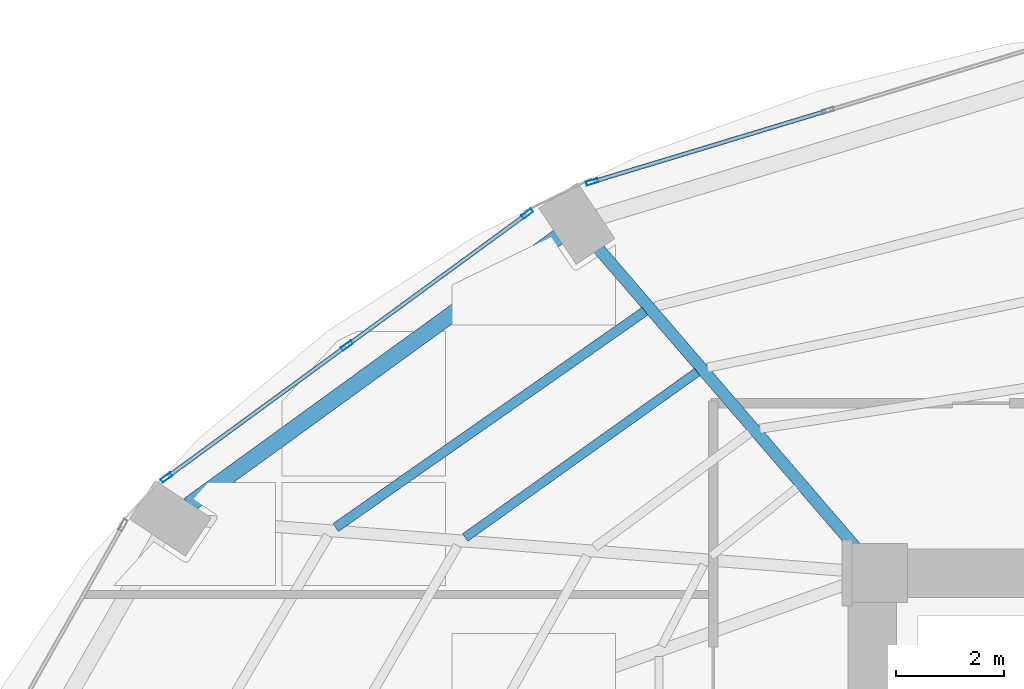
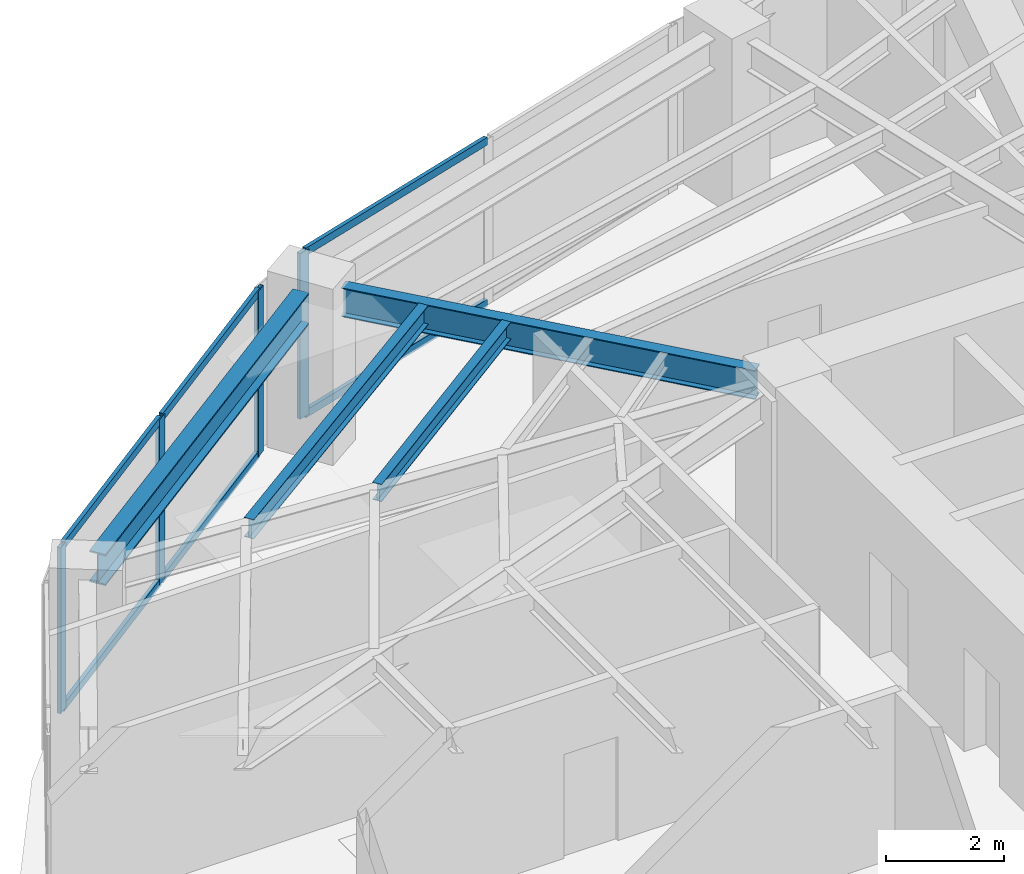
# One storey, part 13 of 24: 10 members, 4 beams, 2 elements without a shape of their own.
"""IFC4 building model written with IfcOpenShell, lengths in metres."""

from ifc_helpers import new_model, si_unit, direction, frame, origin, origin_2d, place, context, subcontext, project, spatial, hollow_rectangle, i_section, extrude, material, layer, layer_set, material_profile, profile_set, type_object, element, aggregate, save


model = new_model("IFC4")

# Units and contexts
model_context = context("Model", 3, precision=1e-05, world=origin(), true_north=direction((0.0, 1.0)))
body_context = subcontext(model_context, "Body", "Model", "MODEL_VIEW")
ifc_project = project(units=[si_unit("LENGTHUNIT", "METRE"), si_unit("AREAUNIT", "SQUARE_METRE"), si_unit("VOLUMEUNIT", "CUBIC_METRE"), si_unit("PLANEANGLEUNIT", "RADIAN"), si_unit("MASSUNIT", "GRAM", prefix="KILO")], contexts=[model_context])

# Site, building, storey
site_placement = place(None, origin())
site = spatial("IfcSite", under=ifc_project, at=site_placement, CompositionType="ELEMENT")
building_placement = place(site_placement, origin())
building = spatial("IfcBuilding", under=site, at=building_placement, Name="Lazwardi Medical Tower", CompositionType="ELEMENT")
storey_placement = place(building_placement, frame((0.0, 0.0, 36.14404296875)))
storey = spatial("IfcBuildingStorey", under=building, at=storey_placement, Name="L08", CompositionType="ELEMENT", Elevation=36.14404296875)

# Beams
ifc_material_1 = material(Name="Steel S355", Category="steel")
ifc_material_profile_1 = material_profile(ifc_material_1, i_section(OverallWidth=0.300048828125, OverallDepth=0.64990234375, WebThickness=0.01611328125, FlangeThickness=0.031005859375, at=origin_2d()), Name="HEB 650")
ifc_profile_set_1 = profile_set([ifc_material_profile_1], Name="Steel S355")
beam_type_1 = type_object("IfcBeamType", Name="BM-RB-Z1", PredefinedType="BEAM", material=ifc_profile_set_1)
beam_1_placement = place(storey_placement, frame((20.47900390625, 41.83740234375, 3.10302734375), z_axis=(-0.80939338516, -0.5872668457, 0.0), x_axis=(0.5872668457, -0.80939338516, 0.0)))
element("IfcBeam", 1, at=beam_1_placement, inside=storey, type_object=beam_type_1, Name="Ring beam RB-02 B10 L08", PredefinedType="BEAM", context=body_context, shape_type="SweptSolid", body=[
    extrude(i_section(OverallWidth=0.300048828125, OverallDepth=0.64990234375, WebThickness=0.01611328125, FlangeThickness=0.031005859375, at=origin_2d()), origin(), (0.0, 0.0, 1.0), 8.47412109375),
])
ifc_material_profile_2 = material_profile(ifc_material_1, i_section(OverallWidth=0.219970703125, OverallDepth=0.60009765625, WebThickness=0.011962890625, FlangeThickness=0.01904296875, at=origin_2d()), Name="IPE 600")
ifc_profile_set_2 = profile_set([ifc_material_profile_2], Name="Steel S355")
beam_type_2 = type_object("IfcBeamType", Name="BM-RG-W1", PredefinedType="BEAM", material=ifc_profile_set_2)
beam_2_placement = place(storey_placement, frame((21.197509765625, 41.644287109375, 3.1279296875), z_axis=(0.652368190463, -0.757902199543, 0.0), x_axis=(0.757902199543, 0.652368190463, 0.0)))
element("IfcBeam", 2, at=beam_2_placement, inside=storey, type_object=beam_type_2, Name="Radial girder RG-02 R10 L08", PredefinedType="BEAM", context=body_context, shape_type="SweptSolid", body=[
    extrude(i_section(OverallWidth=0.219970703125, OverallDepth=0.60009765625, WebThickness=0.011962890625, FlangeThickness=0.01904296875, at=origin_2d()), origin(), (0.0, 0.0, 1.0), 7.43994140625),
])
ifc_material_profile_3 = material_profile(ifc_material_1, i_section(OverallWidth=0.179931640625, OverallDepth=0.39990234375, WebThickness=0.008544921875, FlangeThickness=0.013427734375, at=origin_2d()), Name="IPE 400")
ifc_profile_set_3 = profile_set([ifc_material_profile_3], Name="Steel S355")
beam_type_3 = type_object("IfcBeamType", Name="BM-SJ-01", PredefinedType="JOIST", material=ifc_profile_set_3)
beam_3_placement = place(storey_placement, frame((22.08203125, 40.456298828125, 3.22802734375), z_axis=(-0.81942522483, -0.573186096231, 0.0), x_axis=(0.573186096231, -0.81942522483, 0.0)))
element("IfcBeam", 3, at=beam_3_placement, inside=storey, type_object=beam_type_3, Name="Secondary joist SJ-01 R1 B10 L08", PredefinedType="JOIST", context=body_context, shape_type="SweptSolid", body=[
    extrude(i_section(OverallWidth=0.179931640625, OverallDepth=0.39990234375, WebThickness=0.008544921875, FlangeThickness=0.013427734375, at=origin_2d()), origin(), (0.0, 0.0, 1.0), 6.999755859375),
])
ifc_material_profile_4 = material_profile(ifc_material_1, i_section(OverallWidth=0.169921875, OverallDepth=0.360107421875, WebThickness=0.008056640625, FlangeThickness=0.0126953125, at=origin_2d()), Name="IPE 360")
ifc_profile_set_4 = profile_set([ifc_material_profile_4], Name="Steel S355")
beam_type_4 = type_object("IfcBeamType", Name="BM-SJ-02", PredefinedType="JOIST", material=ifc_profile_set_4)
beam_4_placement = place(storey_placement, frame((23.05322265625, 39.327880859375, 3.248046875), z_axis=(-0.814341377136, -0.580386183058, 0.0), x_axis=(0.580386183058, -0.814341377136, 0.0)))
element("IfcBeam", 4, at=beam_4_placement, inside=storey, type_object=beam_type_4, Name="Secondary joist SJ-02 R2 B10 L08", PredefinedType="JOIST", context=body_context, shape_type="SweptSolid", body=[
    extrude(i_section(OverallWidth=0.169921875, OverallDepth=0.360107421875, WebThickness=0.008056640625, FlangeThickness=0.0126953125, at=origin_2d()), origin(), (0.0, 0.0, 1.0), 5.28759765625),
])

# Curtain wall, member
ifc_material_2 = material(Name="Anodised bronze aluminium and solar control glazing", Category="aluminium")
ifc_layer = layer(ifc_material_2, 0.199951171875)
ifc_layer_set = layer_set([ifc_layer], Name="Anodised bronze aluminium and solar control glazing")
curtain_wall_type = type_object("IfcCurtainWallType", Name="CW-SYS-02", PredefinedType="NOTDEFINED", material=ifc_layer_set)
curtain_wall_1_placement = place(storey_placement, origin())
curtain_wall_1 = element("IfcCurtainWall", 5, at=curtain_wall_1_placement, inside=storey, type_object=curtain_wall_type, Name="L08 Unitised bronze curtain wall CW-02", PredefinedType="NOTDEFINED")
ifc_material_3 = material(Name="Anodised bronze aluminium", Category="aluminium")
ifc_material_profile_5 = material_profile(ifc_material_3, hollow_rectangle(XDim=0.074951171875, YDim=0.219970703125, WallThickness=0.00390625, at=origin_2d()), Name="ALU-MULLION 220x75x4")
ifc_profile_set_5 = profile_set([ifc_material_profile_5], Name="Anodised bronze aluminium")
member_type_1 = type_object("IfcMemberType", Name="CW-MUL-01", PredefinedType="MULLION", material=ifc_profile_set_5)
member_1_placement = place(storey_placement, frame((21.1015625, 42.853271484375, 0.0), z_axis=(0.0, 0.0, 1.0), x_axis=(0.2898956909, -0.957058247129, 0.0)))
member_1 = element("IfcMember", 6, at=member_1_placement, type_object=member_type_1, Name="CW-02 mullion 3", PredefinedType="MULLION", context=body_context, shape_type="SweptSolid", body=[
    extrude(hollow_rectangle(XDim=0.074951171875, YDim=0.219970703125, WallThickness=0.00390625, at=origin_2d()), origin(), (0.0, 0.0, 1.0), 3.427978515625),
])

# Curtain wall, members
curtain_wall_2_placement = place(storey_placement, origin())
curtain_wall_2 = element("IfcCurtainWall", 7, at=curtain_wall_2_placement, inside=storey, type_object=curtain_wall_type, Name="L08 Unitised bronze curtain wall CW-02", PredefinedType="NOTDEFINED")
member_2_placement = place(storey_placement, frame((19.9013671875, 42.26611328125, 0.0), z_axis=(0.0, 0.0, 1.0), x_axis=(0.590289307341, -0.807191757663, 0.0)))
member_2 = element("IfcMember", 8, at=member_2_placement, type_object=member_type_1, Name="CW-02 mullion 1", PredefinedType="MULLION", context=body_context, shape_type="SweptSolid", body=[
    extrude(hollow_rectangle(XDim=0.074951171875, YDim=0.219970703125, WallThickness=0.00390625, at=origin_2d()), origin(), (0.0, 0.0, 1.0), 3.427978515625),
])
member_3_placement = place(storey_placement, frame((16.5556640625, 39.8193359375, 0.0), z_axis=(0.0, 0.0, 1.0), x_axis=(0.590289307341, -0.807191757663, 0.0)))
member_3 = element("IfcMember", 9, at=member_3_placement, type_object=member_type_1, Name="CW-02 mullion 2", PredefinedType="MULLION", context=body_context, shape_type="SweptSolid", body=[
    extrude(hollow_rectangle(XDim=0.074951171875, YDim=0.219970703125, WallThickness=0.00390625, at=origin_2d()), origin(), (0.0, 0.0, 1.0), 3.427978515625),
])
member_4_placement = place(storey_placement, frame((13.209716796875, 37.37255859375, 0.0), z_axis=(0.0, 0.0, 1.0), x_axis=(0.590289307341, -0.807191757663, 0.0)))
member_4 = element("IfcMember", 10, at=member_4_placement, type_object=member_type_1, Name="CW-02 mullion 3", PredefinedType="MULLION", context=body_context, shape_type="SweptSolid", body=[
    extrude(hollow_rectangle(XDim=0.074951171875, YDim=0.219970703125, WallThickness=0.00390625, at=origin_2d()), origin(), (0.0, 0.0, 1.0), 3.427978515625),
])

# Member
ifc_material_profile_6 = material_profile(ifc_material_3, hollow_rectangle(XDim=0.074951171875, YDim=0.159912109375, WallThickness=0.00390625, at=origin_2d()), Name="ALU-TRANSOM 160x75x4")
ifc_profile_set_6 = profile_set([ifc_material_profile_6], Name="Anodised bronze aluminium")
member_type_2 = type_object("IfcMemberType", Name="CW-TRN-01", PredefinedType="USERDEFINED", material=ifc_profile_set_6)
member_5_placement = place(storey_placement, frame((25.44091796875, 44.16748046875, 0.037353515625), z_axis=(-0.957062297904, -0.289882317383, 0.0), x_axis=(0.289882317383, -0.957062297904, 0.0)))
member_5 = element("IfcMember", 11, at=member_5_placement, type_object=member_type_2, Name="CW-02 transom 2.1", ObjectType="TRANSOM", PredefinedType="USERDEFINED", context=body_context, shape_type="SweptSolid", body=[
    extrude(hollow_rectangle(XDim=0.074951171875, YDim=0.159912109375, WallThickness=0.00390625, at=origin_2d()), origin(), (0.0, 0.0, 1.0), 4.49658203125),
])

member_6_placement = place(storey_placement, frame((25.44091796875, 44.16748046875, 3.390380859375), z_axis=(-0.957062297904, -0.289882317383, 0.0), x_axis=(0.289882317383, -0.957062297904, 0.0)))
member_6 = element("IfcMember", 12, at=member_6_placement, type_object=member_type_2, Name="CW-02 transom 2.2", ObjectType="TRANSOM", PredefinedType="USERDEFINED", context=body_context, shape_type="SweptSolid", body=[
    extrude(hollow_rectangle(XDim=0.074951171875, YDim=0.159912109375, WallThickness=0.00390625, at=origin_2d()), origin(), (0.0, 0.0, 1.0), 4.49658203125),
])

aggregate(curtain_wall_1, [member_1, member_5, member_6])

member_7_placement = place(storey_placement, frame((19.87109375, 42.243896484375, 0.037353515625), z_axis=(-0.807197636578, -0.590281268128, 0.0), x_axis=(0.590281268128, -0.807197636578, 0.0)))
member_7 = element("IfcMember", 13, at=member_7_placement, type_object=member_type_2, Name="CW-02 transom 1.1", ObjectType="TRANSOM", PredefinedType="USERDEFINED", context=body_context, shape_type="SweptSolid", body=[
    extrude(hollow_rectangle(XDim=0.074951171875, YDim=0.159912109375, WallThickness=0.00390625, at=origin_2d()), origin(), (0.0, 0.0, 1.0), 4.06982421875),
])

member_8_placement = place(storey_placement, frame((19.87109375, 42.243896484375, 3.390380859375), z_axis=(-0.807197636578, -0.590281268128, 0.0), x_axis=(0.590281268128, -0.807197636578, 0.0)))
member_8 = element("IfcMember", 14, at=member_8_placement, type_object=member_type_2, Name="CW-02 transom 1.2", ObjectType="TRANSOM", PredefinedType="USERDEFINED", context=body_context, shape_type="SweptSolid", body=[
    extrude(hollow_rectangle(XDim=0.074951171875, YDim=0.159912109375, WallThickness=0.00390625, at=origin_2d()), origin(), (0.0, 0.0, 1.0), 4.06982421875),
])

member_9_placement = place(storey_placement, frame((16.525390625, 39.797119140625, 0.037353515625), z_axis=(-0.807218536774, -0.590252686472, 0.0), x_axis=(0.590252686472, -0.807218536774, 0.0)))
member_9 = element("IfcMember", 15, at=member_9_placement, type_object=member_type_2, Name="CW-02 transom 2.1", ObjectType="TRANSOM", PredefinedType="USERDEFINED", context=body_context, shape_type="SweptSolid", body=[
    extrude(hollow_rectangle(XDim=0.074951171875, YDim=0.159912109375, WallThickness=0.00390625, at=origin_2d()), origin(), (0.0, 0.0, 1.0), 4.070068359375),
])

member_10_placement = place(storey_placement, frame((16.525390625, 39.797119140625, 3.390380859375), z_axis=(-0.807218536774, -0.590252686472, 0.0), x_axis=(0.590252686472, -0.807218536774, 0.0)))
member_10 = element("IfcMember", 16, at=member_10_placement, type_object=member_type_2, Name="CW-02 transom 2.2", ObjectType="TRANSOM", PredefinedType="USERDEFINED", context=body_context, shape_type="SweptSolid", body=[
    extrude(hollow_rectangle(XDim=0.074951171875, YDim=0.159912109375, WallThickness=0.00390625, at=origin_2d()), origin(), (0.0, 0.0, 1.0), 4.070068359375),
])

aggregate(curtain_wall_2, [member_2, member_3, member_4, member_7, member_8, member_9, member_10])

save(model, "model.ifc")
